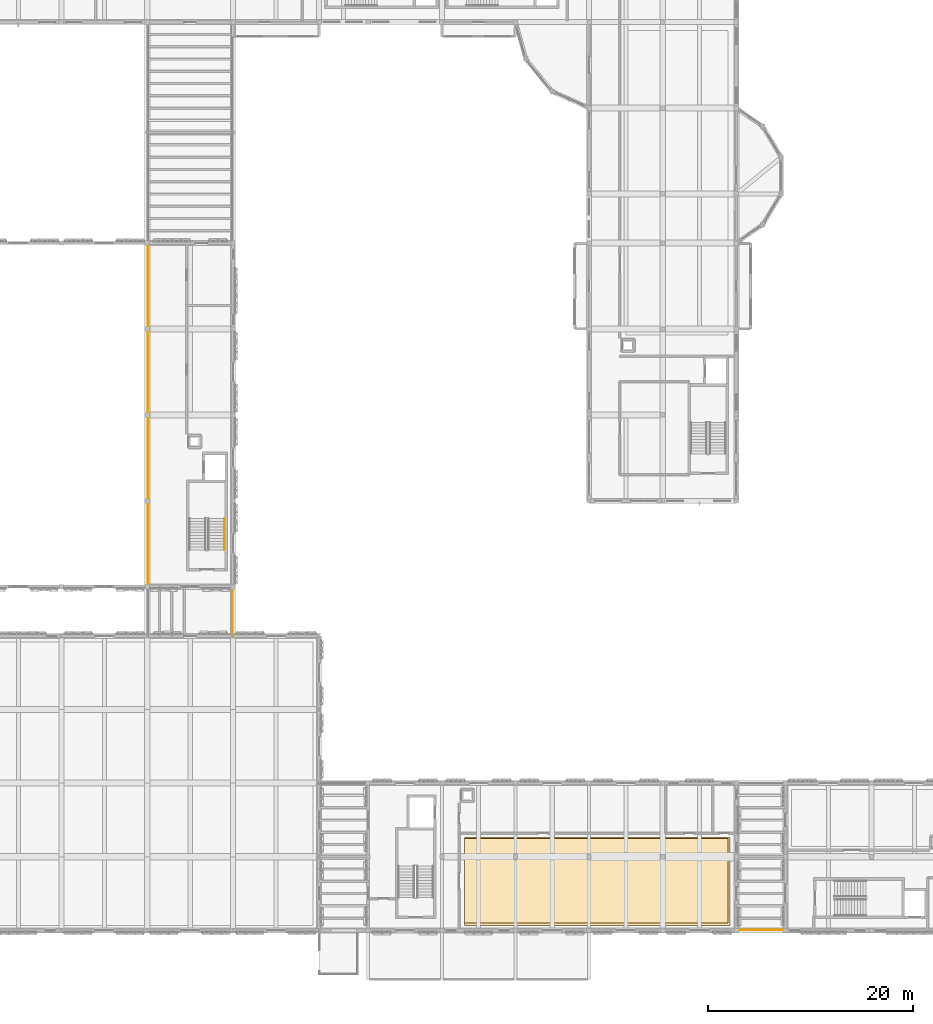
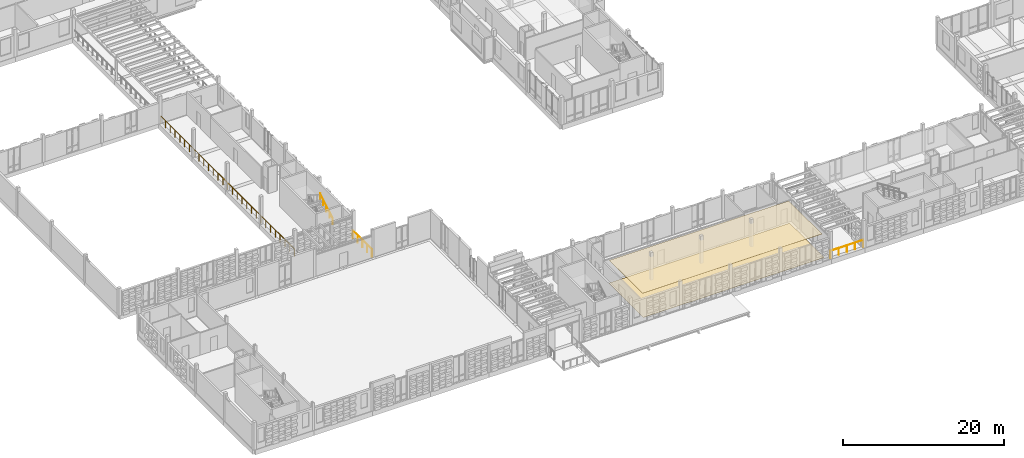
# One storey, part 92 of 99: 4 railings, 2 coverings.
"""IFC4 building model written with IfcOpenShell, lengths in metres."""

from ifc_helpers import new_model, si_unit, direction, frame, origin, origin_2d, place, context, subcontext, project, spatial, polyline, circle, outline, extrude, material, layer, layer_set, type_object, element, save


model = new_model("IFC4")

# Units and contexts
model_context = context("Model", 3, precision=1e-05, world=origin(), true_north=direction((0.0, 1.0)))
body_context = subcontext(model_context, "Body", "Model", "MODEL_VIEW")
ifc_project = project(units=[si_unit("LENGTHUNIT", "METRE"), si_unit("AREAUNIT", "SQUARE_METRE"), si_unit("VOLUMEUNIT", "CUBIC_METRE"), si_unit("PLANEANGLEUNIT", "RADIAN"), si_unit("MASSUNIT", "GRAM", prefix="KILO")], contexts=[model_context])

# Site, building, storey
site_placement = place(None, origin())
site = spatial("IfcSite", under=ifc_project, at=site_placement, CompositionType="ELEMENT")
building_placement = place(site_placement, origin())
building = spatial("IfcBuilding", under=site, at=building_placement, Name="Kahlenmark Community Centre", CompositionType="ELEMENT")
storey_placement = place(building_placement, frame((0.0, 0.0, 5.39990234375)))
storey = spatial("IfcBuildingStorey", under=building, at=storey_placement, Name="L01", CompositionType="ELEMENT", Elevation=5.39990234375)

# Coverings
ifc_material_1 = material(Name="Perforated birch acoustic ceiling panel")
ifc_layer_1 = layer(ifc_material_1, 0.0400390625)
ifc_layer_set_1 = layer_set([ifc_layer_1], Name="Perforated birch acoustic ceiling panel")
covering_type_1 = type_object("IfcCoveringType", Name="CVT-CEIL-ACOUST", PredefinedType="CEILING", material=ifc_layer_set_1)
covering_1_placement = place(storey_placement, frame((0.0, 0.0, 3.52001953125)))
element("IfcCovering", 1, at=covering_1_placement, inside=storey, type_object=covering_type_1, Name="Acoustic birch ceiling 02", PredefinedType="CEILING", context=body_context, shape_type="SweptSolid", body=[
    extrude(outline(polyline([(60.199951171875, 9.5), (86.0, 9.5), (86.0, 17.800048828125), (60.199951171875, 17.800048828125), (60.199951171875, 9.5)])), origin(), (0.0, 0.0, 1.0), 0.0400390625),
])
ifc_material_2 = material(Name="Oiled European oak parquet flooring")
ifc_layer_2 = layer(ifc_material_2, 0.02490234375)
ifc_layer_set_2 = layer_set([ifc_layer_2], Name="Oiled European oak parquet flooring")
covering_type_2 = type_object("IfcCoveringType", Name="CVT-FLR-OAK", PredefinedType="FLOORING", material=ifc_layer_set_2)
covering_2_placement = place(storey_placement, origin())
element("IfcCovering", 2, at=covering_2_placement, inside=storey, type_object=covering_type_2, Name="European oak parquet flooring 02", PredefinedType="FLOORING", context=body_context, shape_type="SweptSolid", body=[
    extrude(outline(polyline([(60.199951171875, 9.300048828125), (86.199951171875, 9.300048828125), (86.199951171875, 17.89990234375), (60.199951171875, 17.89990234375), (60.199951171875, 9.300048828125)])), origin(), (0.0, 0.0, 1.0), 0.025146484375),
])

# Railings
ifc_material_3 = material(Name="Powder-coated galvanized steel balustrade", Category="steel")
railing_type_1 = type_object("IfcRailingType", Name="RLT-BAL-1120", PredefinedType="BALUSTRADE", material=ifc_material_3)
railing_1_placement = place(storey_placement, frame((86.85009765625, 8.85009765625, 0.0)))
element("IfcRailing", 3, at=railing_1_placement, inside=storey, type_object=railing_type_1, Name="Balustrade guard L01-004", PredefinedType="BALUSTRADE", context=body_context, shape_type="SweptSolid", body=[
    extrude(circle(Radius=0.02392578125, at=origin_2d()), frame((0.0, 0.0, 1.09619140625), z_axis=(1.0, 0.0, 0.0), x_axis=(0.0, 1.0, 0.0)), (0.0, 0.0, 1.0), 4.699951171875),
    extrude(circle(Radius=0.02099609375, at=origin_2d()), origin(), (0.0, 0.0, 1.0), 1.072021484375),
    extrude(circle(Radius=0.02099609375, at=origin_2d()), frame((1.175048828125, 0.0, 0.0)), (0.0, 0.0, 1.0), 1.072021484375),
    extrude(circle(Radius=0.02099609375, at=origin_2d()), frame((2.35009765625, 0.0, 0.0)), (0.0, 0.0, 1.0), 1.072021484375),
    extrude(circle(Radius=0.02099609375, at=origin_2d()), frame((3.52490234375, 0.0, 0.0)), (0.0, 0.0, 1.0), 1.072021484375),
    extrude(circle(Radius=0.02099609375, at=origin_2d()), frame((4.699951171875, 0.0, 0.0)), (0.0, 0.0, 1.0), 1.072021484375),
])
railing_2_placement = place(storey_placement, frame((37.550048828125, 37.64990234375, 0.0)))
element("IfcRailing", 4, at=railing_2_placement, inside=storey, type_object=railing_type_1, Name="Balustrade guard L01-009", PredefinedType="BALUSTRADE", context=body_context, shape_type="SweptSolid", body=[
    extrude(circle(Radius=0.02392578125, at=origin_2d()), frame((0.0, 0.0, 1.09619140625), z_axis=(0.0, 1.0, 0.0), x_axis=(-1.0, 0.0, 0.0)), (0.0, 0.0, 1.0), 4.7001953125),
    extrude(circle(Radius=0.02099609375, at=origin_2d()), origin(), (0.0, 0.0, 1.0), 1.072021484375),
    extrude(circle(Radius=0.02099609375, at=origin_2d()), frame((0.0, 1.175048828125, 0.0)), (0.0, 0.0, 1.0), 1.072021484375),
    extrude(circle(Radius=0.02099609375, at=origin_2d()), frame((0.0, 2.35009765625, 0.0)), (0.0, 0.0, 1.0), 1.072021484375),
    extrude(circle(Radius=0.02099609375, at=origin_2d()), frame((0.0, 3.525146484375, 0.0)), (0.0, 0.0, 1.0), 1.072021484375),
    extrude(circle(Radius=0.02099609375, at=origin_2d()), frame((0.0, 4.7001953125, 0.0)), (0.0, 0.0, 1.0), 1.072021484375),
])
railing_3_placement = place(storey_placement, frame((29.25, 42.550048828125, 0.0)))
element("IfcRailing", 5, at=railing_3_placement, inside=storey, type_object=railing_type_1, Name="Balustrade guard L01-015", PredefinedType="BALUSTRADE", context=body_context, shape_type="SweptSolid", body=[
    extrude(circle(Radius=0.02392578125, at=origin_2d()), frame((0.0, 0.0, 1.09619140625), z_axis=(0.0, 1.0, 0.0), x_axis=(-1.0, 0.0, 0.0)), (0.0, 0.0, 1.0), 33.300048828125),
    extrude(circle(Radius=0.02099609375, at=origin_2d()), origin(), (0.0, 0.0, 1.0), 1.072021484375),
    extrude(circle(Radius=0.02099609375, at=origin_2d()), frame((0.0, 1.189208984375, 0.0)), (0.0, 0.0, 1.0), 1.072021484375),
    extrude(circle(Radius=0.02099609375, at=origin_2d()), frame((0.0, 2.378662109375, 0.0)), (0.0, 0.0, 1.0), 1.072021484375),
    extrude(circle(Radius=0.02099609375, at=origin_2d()), frame((0.0, 3.56787109375, 0.0)), (0.0, 0.0, 1.0), 1.072021484375),
    extrude(circle(Radius=0.02099609375, at=origin_2d()), frame((0.0, 4.757080078125, 0.0)), (0.0, 0.0, 1.0), 1.072021484375),
    extrude(circle(Radius=0.02099609375, at=origin_2d()), frame((0.0, 5.946533203125, 0.0)), (0.0, 0.0, 1.0), 1.072021484375),
    extrude(circle(Radius=0.02099609375, at=origin_2d()), frame((0.0, 7.1357421875, 0.0)), (0.0, 0.0, 1.0), 1.072021484375),
    extrude(circle(Radius=0.02099609375, at=origin_2d()), frame((0.0, 8.324951171875, 0.0)), (0.0, 0.0, 1.0), 1.072021484375),
    extrude(circle(Radius=0.02099609375, at=origin_2d()), frame((0.0, 9.514404296875, 0.0)), (0.0, 0.0, 1.0), 1.072021484375),
    extrude(circle(Radius=0.02099609375, at=origin_2d()), frame((0.0, 10.70361328125, 0.0)), (0.0, 0.0, 1.0), 1.072021484375),
    extrude(circle(Radius=0.02099609375, at=origin_2d()), frame((0.0, 11.892822265625, 0.0)), (0.0, 0.0, 1.0), 1.072021484375),
    extrude(circle(Radius=0.02099609375, at=origin_2d()), frame((0.0, 13.082275390625, 0.0)), (0.0, 0.0, 1.0), 1.072021484375),
    extrude(circle(Radius=0.02099609375, at=origin_2d()), frame((0.0, 14.271484375, 0.0)), (0.0, 0.0, 1.0), 1.072021484375),
    extrude(circle(Radius=0.02099609375, at=origin_2d()), frame((0.0, 15.460693359375, 0.0)), (0.0, 0.0, 1.0), 1.072021484375),
    extrude(circle(Radius=0.02099609375, at=origin_2d()), frame((0.0, 16.64990234375, 0.0)), (0.0, 0.0, 1.0), 1.072021484375),
    extrude(circle(Radius=0.02099609375, at=origin_2d()), frame((0.0, 17.83935546875, 0.0)), (0.0, 0.0, 1.0), 1.072021484375),
    extrude(circle(Radius=0.02099609375, at=origin_2d()), frame((0.0, 19.028564453125, 0.0)), (0.0, 0.0, 1.0), 1.072021484375),
    extrude(circle(Radius=0.02099609375, at=origin_2d()), frame((0.0, 20.2177734375, 0.0)), (0.0, 0.0, 1.0), 1.072021484375),
    extrude(circle(Radius=0.02099609375, at=origin_2d()), frame((0.0, 21.4072265625, 0.0)), (0.0, 0.0, 1.0), 1.072021484375),
    extrude(circle(Radius=0.02099609375, at=origin_2d()), frame((0.0, 22.596435546875, 0.0)), (0.0, 0.0, 1.0), 1.072021484375),
    extrude(circle(Radius=0.02099609375, at=origin_2d()), frame((0.0, 23.78564453125, 0.0)), (0.0, 0.0, 1.0), 1.072021484375),
    extrude(circle(Radius=0.02099609375, at=origin_2d()), frame((0.0, 24.97509765625, 0.0)), (0.0, 0.0, 1.0), 1.072021484375),
    extrude(circle(Radius=0.02099609375, at=origin_2d()), frame((0.0, 26.164306640625, 0.0)), (0.0, 0.0, 1.0), 1.072021484375),
    extrude(circle(Radius=0.02099609375, at=origin_2d()), frame((0.0, 27.353515625, 0.0)), (0.0, 0.0, 1.0), 1.072021484375),
    extrude(circle(Radius=0.02099609375, at=origin_2d()), frame((0.0, 28.54296875, 0.0)), (0.0, 0.0, 1.0), 1.072021484375),
    extrude(circle(Radius=0.02099609375, at=origin_2d()), frame((0.0, 29.732177734375, 0.0)), (0.0, 0.0, 1.0), 1.072021484375),
    extrude(circle(Radius=0.02099609375, at=origin_2d()), frame((0.0, 30.92138671875, 0.0)), (0.0, 0.0, 1.0), 1.072021484375),
    extrude(circle(Radius=0.02099609375, at=origin_2d()), frame((0.0, 32.11083984375, 0.0)), (0.0, 0.0, 1.0), 1.072021484375),
    extrude(circle(Radius=0.02099609375, at=origin_2d()), frame((0.0, 33.300048828125, 0.0)), (0.0, 0.0, 1.0), 1.072021484375),
])
ifc_material_4 = material(Name="Brushed stainless steel 1.4301 handrail", Category="steel")
railing_type_2 = type_object("IfcRailingType", Name="RLT-HR-900", PredefinedType="HANDRAIL", material=ifc_material_4)
railing_4_placement = place(storey_placement, frame((36.75, 46.0, 0.175048828125)))
element("IfcRailing", 6, at=railing_4_placement, inside=storey, type_object=railing_type_2, Name="L01 ST-02 stair handrail 1", PredefinedType="HANDRAIL", context=body_context, shape_type="SweptSolid", body=[
    extrude(circle(Radius=0.02392578125, at=origin_2d()), frame((0.0, 0.0, 0.8759765625), z_axis=(0.0, 0.847998304005, 0.529998940003), x_axis=(-1.0, 0.0, 0.0)), (0.0, 0.0, 1.0), 3.632080078125),
    extrude(circle(Radius=0.02099609375, at=origin_2d()), origin(), (0.0, 0.0, 1.0), 0.851806640625),
    extrude(circle(Radius=0.02099609375, at=origin_2d()), frame((0.0, 0.77001953125, 0.481201171875)), (0.0, 0.0, 1.0), 0.851806640625),
    extrude(circle(Radius=0.02099609375, at=origin_2d()), frame((0.0, 1.5400390625, 0.96240234375)), (0.0, 0.0, 1.0), 0.851806640625),
    extrude(circle(Radius=0.02099609375, at=origin_2d()), frame((0.0, 2.31005859375, 1.44384765625)), (0.0, 0.0, 1.0), 0.851806640625),
    extrude(circle(Radius=0.02099609375, at=origin_2d()), frame((0.0, 3.080078125, 1.925048828125)), (0.0, 0.0, 1.0), 0.851806640625),
])

save(model, "model.ifc")
